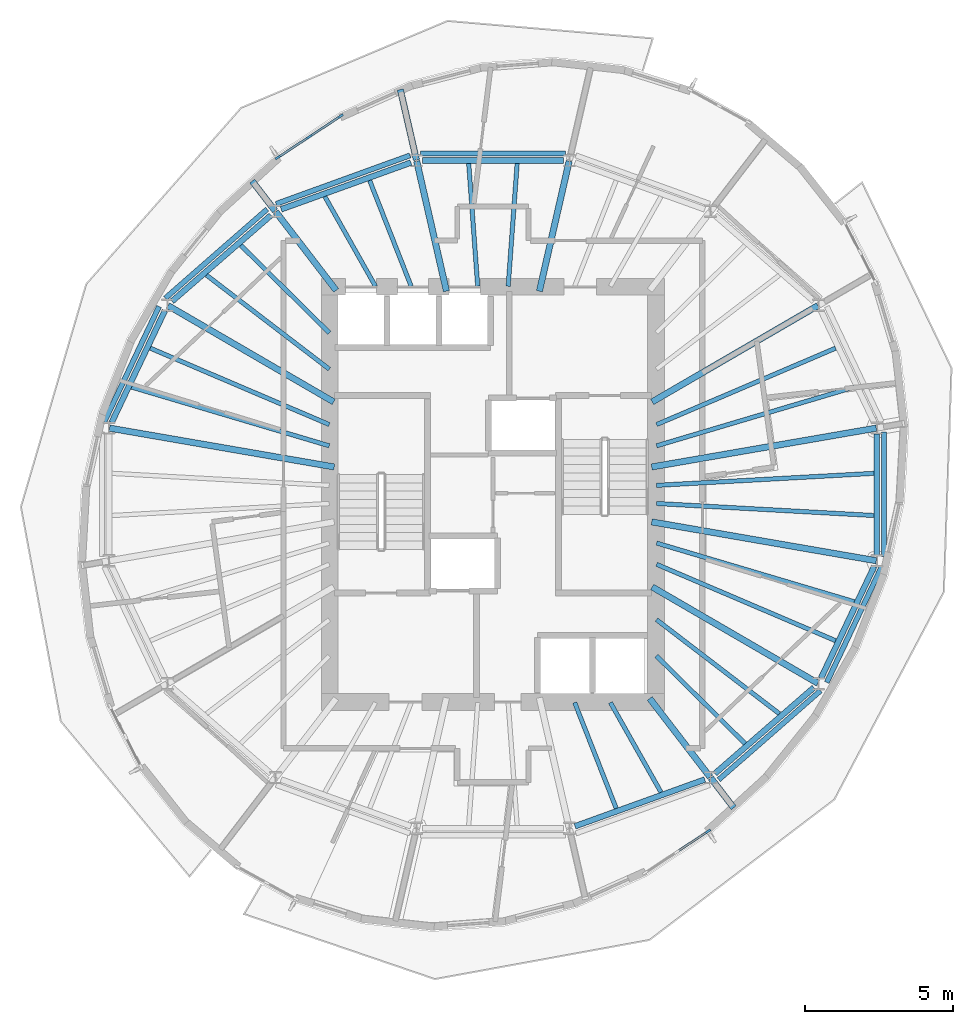
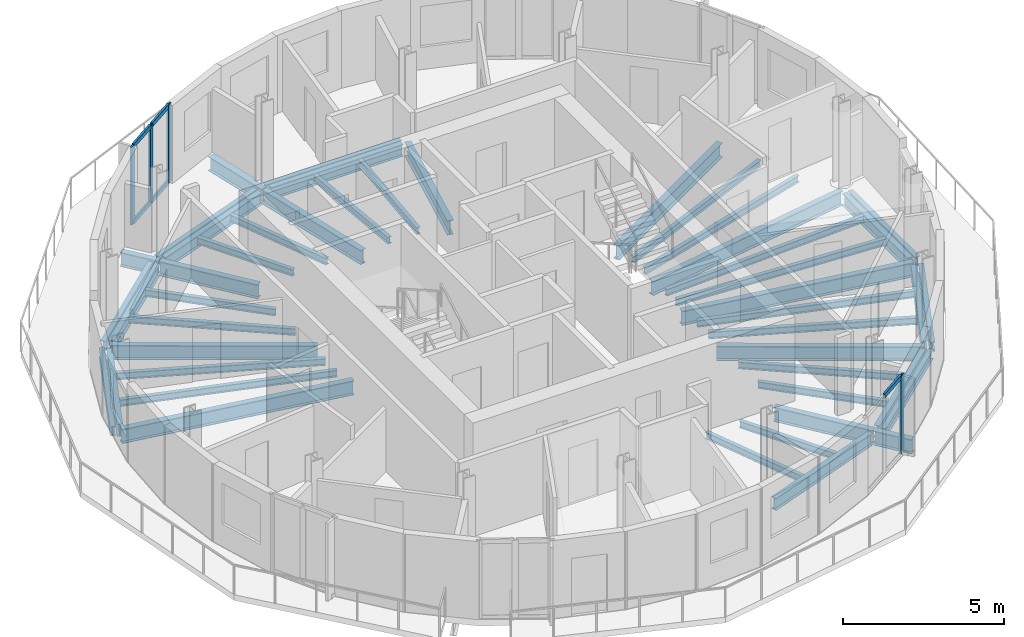
# One storey, part 2 of 11: 46 beams, 9 members, 2 elements without a shape of their own.
"""IFC4 building model written with IfcOpenShell, lengths in metres."""

from ifc_helpers import new_model, si_unit, direction, frame, origin, origin_2d, place, context, subcontext, project, spatial, rectangle, i_section, extrude, material, material_profile, profile_set, type_object, element, aggregate, save


model = new_model("IFC4")

# Units and contexts
model_context = context("Model", 3, precision=1e-05, world=origin(), true_north=direction((0.0, 1.0)))
body_context = subcontext(model_context, "Body", "Model", "MODEL_VIEW")
ifc_project = project(units=[si_unit("LENGTHUNIT", "METRE"), si_unit("AREAUNIT", "SQUARE_METRE"), si_unit("VOLUMEUNIT", "CUBIC_METRE"), si_unit("PLANEANGLEUNIT", "RADIAN"), si_unit("MASSUNIT", "GRAM", prefix="KILO")], contexts=[model_context])

# Site, building, storey
site_placement = place(None, origin())
site = spatial("IfcSite", under=ifc_project, at=site_placement, CompositionType="ELEMENT")
building_placement = place(site_placement, origin())
building = spatial("IfcBuilding", under=site, at=building_placement, Name="Veldorim Arch Residences", CompositionType="ELEMENT")
storey_placement = place(building_placement, frame((0.0, 0.0, 220.639892578125)))
storey = spatial("IfcBuildingStorey", under=building, at=storey_placement, Name="L66", CompositionType="ELEMENT", Elevation=220.639892578125)

# Beams
ifc_material_1 = material(Name="Steel S355", Category="steel")
ifc_material_profile_1 = material_profile(ifc_material_1, i_section(OverallWidth=0.2119140625, OverallDepth=0.54443359375, WebThickness=0.0126953125, FlangeThickness=0.021240234375, at=origin_2d()), Name="UB533x210x122")
ifc_profile_set_1 = profile_set([ifc_material_profile_1], Name="Steel S355")
beam_type_1 = type_object("IfcBeamType", Name="Structural Steel Beam UB533x210x122", PredefinedType="BEAM", material=ifc_profile_set_1)
beam_1_placement = place(storey_placement, frame((37.352294921875, 24.92578125, -0.51220703125), z_axis=(0.985364974081, 0.170457818401, 0.0), x_axis=(-0.170457818401, 0.985364974081, 0.0)))
element("IfcBeam", 1, at=beam_1_placement, inside=storey, type_object=beam_type_1, Name="L66 radial floor girder 01", PredefinedType="BEAM", context=body_context, shape_type="SweptSolid", body=[
    extrude(i_section(OverallWidth=0.2119140625, OverallDepth=0.54443359375, WebThickness=0.0126953125, FlangeThickness=0.021240234375, at=origin_2d()), origin(), (0.0, 0.0, 1.0), 7.68701171875),
])
beam_2_placement = place(storey_placement, frame((37.370361328125, 27.12060546875, -0.51220703125), z_axis=(0.864595736304, 0.502468121142, 0.0), x_axis=(-0.502468121142, 0.864595736304, 0.0)))
element("IfcBeam", 2, at=beam_2_placement, inside=storey, type_object=beam_type_1, Name="L66 radial floor girder 02", PredefinedType="BEAM", context=body_context, shape_type="SweptSolid", body=[
    extrude(i_section(OverallWidth=0.2119140625, OverallDepth=0.54443359375, WebThickness=0.0126953125, FlangeThickness=0.021240234375, at=origin_2d()), origin(), (0.0, 0.0, 1.0), 6.462646484375),
])
for number, where, z_axis, x_axis, name in (
    (3, (33.567626953125, 30.853759765625, -0.51220703125), (0.222952976993, 0.97482920045, 0.0), (-0.97482920045, 0.222952976993, 0.0), "L66 radial floor girder 04"),
    (4, (30.432373046875, 30.853759765625, -0.51220703125), (-0.222952976993, 0.97482920045, 0.0), (-0.97482920045, -0.222952976993, 0.0), "L66 radial floor girder 05"),
):
    element("IfcBeam", number, at=place(storey_placement, frame(where, z_axis=z_axis, x_axis=x_axis)), inside=storey, type_object=beam_type_1, Name=name, PredefinedType="BEAM", context=body_context, shape_type="SweptSolid", body=[
        extrude(i_section(OverallWidth=0.2119140625, OverallDepth=0.54443359375, WebThickness=0.0126953125, FlangeThickness=0.021240234375, at=origin_2d()), origin(), (0.0, 0.0, 1.0), 4.49951171875),
    ])
beam_3_placement = place(storey_placement, frame((29.42041015625, 35.27880859375, -0.51220703125), z_axis=(-0.222985349642, 0.974821795943, 0.0), x_axis=(-0.974821795943, -0.222985349642, 0.0)))
element("IfcBeam", 5, at=beam_3_placement, inside=storey, type_object=beam_type_1, Name="L66 radial edge cantilever girder 05", PredefinedType="BEAM", context=body_context, shape_type="SweptSolid", body=[
    extrude(i_section(OverallWidth=0.2119140625, OverallDepth=0.54443359375, WebThickness=0.0126953125, FlangeThickness=0.021240234375, at=origin_2d()), origin(), (0.0, 0.0, 1.0), 2.43603515625),
])
beam_4_placement = place(storey_placement, frame((26.71337890625, 30.881103515625, -0.51220703125), z_axis=(-0.609258442308, 0.792971721108, 0.0), x_axis=(-0.792971721108, -0.609258442308, 0.0)))
element("IfcBeam", 6, at=beam_4_placement, inside=storey, type_object=beam_type_1, Name="L66 radial floor girder 06", PredefinedType="BEAM", context=body_context, shape_type="SweptSolid", body=[
    extrude(i_section(OverallWidth=0.2119140625, OverallDepth=0.54443359375, WebThickness=0.0126953125, FlangeThickness=0.021240234375, at=origin_2d()), origin(), (0.0, 0.0, 1.0), 3.339599609375),
])
beam_5_placement = place(storey_placement, frame((24.654296875, 33.561279296875, -0.51220703125), z_axis=(-0.609348059257, 0.792902858287, 0.0), x_axis=(-0.792902858287, -0.609348059257, 0.0)))
element("IfcBeam", 7, at=beam_5_placement, inside=storey, type_object=beam_type_1, Name="L66 radial edge cantilever girder 06", PredefinedType="BEAM", context=body_context, shape_type="SweptSolid", body=[
    extrude(i_section(OverallWidth=0.2119140625, OverallDepth=0.54443359375, WebThickness=0.0126953125, FlangeThickness=0.021240234375, at=origin_2d()), origin(), (0.0, 0.0, 1.0), 1.268798828125),
])
beam_6_placement = place(storey_placement, frame((26.629638671875, 27.12060546875, -0.51220703125), z_axis=(-0.864595736304, 0.502468121142, 0.0), x_axis=(-0.502468121142, -0.864595736304, 0.0)))
element("IfcBeam", 8, at=beam_6_placement, inside=storey, type_object=beam_type_1, Name="L66 radial floor girder 07", PredefinedType="BEAM", context=body_context, shape_type="SweptSolid", body=[
    extrude(i_section(OverallWidth=0.2119140625, OverallDepth=0.54443359375, WebThickness=0.0126953125, FlangeThickness=0.021240234375, at=origin_2d()), origin(), (0.0, 0.0, 1.0), 6.462646484375),
])
beam_7_placement = place(storey_placement, frame((26.647705078125, 24.92578125, -0.51220703125), z_axis=(-0.985364974081, 0.170457818401, 0.0), x_axis=(-0.170457818401, -0.985364974081, 0.0)))
element("IfcBeam", 9, at=beam_7_placement, inside=storey, type_object=beam_type_1, Name="L66 radial floor girder 08", PredefinedType="BEAM", context=body_context, shape_type="SweptSolid", body=[
    extrude(i_section(OverallWidth=0.2119140625, OverallDepth=0.54443359375, WebThickness=0.0126953125, FlangeThickness=0.021240234375, at=origin_2d()), origin(), (0.0, 0.0, 1.0), 7.68701171875),
])
beam_8_placement = place(storey_placement, frame((37.28662109375, 17.118896484375, -0.51220703125), z_axis=(0.609258442308, -0.792971721108, 0.0), x_axis=(0.792971721108, 0.609258442308, 0.0)))
element("IfcBeam", 10, at=beam_8_placement, inside=storey, type_object=beam_type_1, Name="L66 radial floor girder 14", PredefinedType="BEAM", context=body_context, shape_type="SweptSolid", body=[
    extrude(i_section(OverallWidth=0.2119140625, OverallDepth=0.54443359375, WebThickness=0.0126953125, FlangeThickness=0.021240234375, at=origin_2d()), origin(), (0.0, 0.0, 1.0), 3.339599609375),
])
beam_9_placement = place(storey_placement, frame((39.345703125, 14.438720703125, -0.51220703125), z_axis=(0.609348059257, -0.792902858287, 0.0), x_axis=(0.792902858287, 0.609348059257, 0.0)))
element("IfcBeam", 11, at=beam_9_placement, inside=storey, type_object=beam_type_1, Name="L66 radial edge cantilever girder 14", PredefinedType="BEAM", context=body_context, shape_type="SweptSolid", body=[
    extrude(i_section(OverallWidth=0.2119140625, OverallDepth=0.54443359375, WebThickness=0.0126953125, FlangeThickness=0.021240234375, at=origin_2d()), origin(), (0.0, 0.0, 1.0), 1.268798828125),
])
beam_10_placement = place(storey_placement, frame((37.370361328125, 20.87939453125, -0.51220703125), z_axis=(0.864595736304, -0.502468121142, 0.0), x_axis=(0.502468121142, 0.864595736304, 0.0)))
element("IfcBeam", 12, at=beam_10_placement, inside=storey, type_object=beam_type_1, Name="L66 radial floor girder 15", PredefinedType="BEAM", context=body_context, shape_type="SweptSolid", body=[
    extrude(i_section(OverallWidth=0.2119140625, OverallDepth=0.54443359375, WebThickness=0.0126953125, FlangeThickness=0.021240234375, at=origin_2d()), origin(), (0.0, 0.0, 1.0), 6.462646484375),
])
beam_11_placement = place(storey_placement, frame((37.352294921875, 23.07421875, -0.51220703125), z_axis=(0.985364974081, -0.170457818401, 0.0), x_axis=(0.170457818401, 0.985364974081, 0.0)))
element("IfcBeam", 13, at=beam_11_placement, inside=storey, type_object=beam_type_1, Name="L66 radial floor girder 16", PredefinedType="BEAM", context=body_context, shape_type="SweptSolid", body=[
    extrude(i_section(OverallWidth=0.2119140625, OverallDepth=0.54443359375, WebThickness=0.0126953125, FlangeThickness=0.021240234375, at=origin_2d()), origin(), (0.0, 0.0, 1.0), 7.68701171875),
])
ifc_material_2 = material(Name="Steel S355", Category="steel")
ifc_material_profile_2 = material_profile(ifc_material_2, i_section(OverallWidth=0.146484375, OverallDepth=0.256103515625, WebThickness=0.00634765625, FlangeThickness=0.010986328125, at=origin_2d()), Name="UB254x146x37")
ifc_profile_set_2 = profile_set([ifc_material_profile_2], Name="Steel S355")
beam_type_2 = type_object("IfcBeamType", Name="Structural Steel Joist UB254x146x37", PredefinedType="JOIST", material=ifc_profile_set_2)
beam_12_placement = place(storey_placement, frame((37.519287109375, 25.639404296875, -0.367919921875), z_axis=(0.958594432792, 0.284774846889, 0.0), x_axis=(-0.284774846889, 0.958594432792, 0.0)))
element("IfcBeam", 14, at=beam_12_placement, inside=storey, type_object=beam_type_2, Name="L66 secondary radial floor joist 01-1", PredefinedType="JOIST", context=body_context, shape_type="SweptSolid", body=[
    extrude(i_section(OverallWidth=0.146484375, OverallDepth=0.256103515625, WebThickness=0.00634765625, FlangeThickness=0.010986328125, at=origin_2d()), origin(), (0.0, 0.0, 1.0), 6.949462890625),
])
beam_13_placement = place(storey_placement, frame((37.518310546875, 26.355712890625, -0.367919921875), z_axis=(0.919725161652, 0.392562895629, 0.0), x_axis=(-0.392562895629, 0.919725161652, 0.0)))
element("IfcBeam", 15, at=beam_13_placement, inside=storey, type_object=beam_type_2, Name="L66 secondary radial floor joist 01-2", PredefinedType="JOIST", context=body_context, shape_type="SweptSolid", body=[
    extrude(i_section(OverallWidth=0.146484375, OverallDepth=0.256103515625, WebThickness=0.00634765625, FlangeThickness=0.010986328125, at=origin_2d()), origin(), (0.0, 0.0, 1.0), 6.5625),
])
for number, where, z_axis, x_axis, name in (
    (16, (32.513916015625, 31.02001953125, -0.367919921875), (0.072985625899, 0.997332992742, 0.0), (-0.997332992742, 0.072985625899, 0.0), "L66 secondary radial floor joist 04-1"),
    (17, (31.486083984375, 31.02001953125, -0.367919921875), (-0.072985625899, 0.997332992742, 0.0), (-0.997332992742, -0.072985625899, 0.0), "L66 secondary radial floor joist 04-2"),
):
    element("IfcBeam", number, at=place(storey_placement, frame(where, z_axis=z_axis, x_axis=x_axis)), inside=storey, type_object=beam_type_2, Name=name, PredefinedType="JOIST", context=body_context, shape_type="SweptSolid", body=[
        extrude(i_section(OverallWidth=0.146484375, OverallDepth=0.256103515625, WebThickness=0.00634765625, FlangeThickness=0.010986328125, at=origin_2d()), origin(), (0.0, 0.0, 1.0), 4.151123046875),
    ])
beam_14_placement = place(storey_placement, frame((29.24365234375, 31.0185546875, -0.367919921875), z_axis=(-0.365581383042, 0.930779379001, 0.0), x_axis=(-0.930779379001, -0.365581383042, 0.0)))
element("IfcBeam", 18, at=beam_14_placement, inside=storey, type_object=beam_type_2, Name="L66 secondary radial floor joist 05-1", PredefinedType="JOIST", context=body_context, shape_type="SweptSolid", body=[
    extrude(i_section(OverallWidth=0.146484375, OverallDepth=0.256103515625, WebThickness=0.00634765625, FlangeThickness=0.010986328125, at=origin_2d()), origin(), (0.0, 0.0, 1.0), 3.83056640625),
])
beam_15_placement = place(storey_placement, frame((28.039794921875, 31.017333984375, -0.367919921875), z_axis=(-0.491452469585, 0.870904397818, 0.0), x_axis=(-0.870904397818, -0.491452469585, 0.0)))
element("IfcBeam", 19, at=beam_15_placement, inside=storey, type_object=beam_type_2, Name="L66 secondary radial floor joist 05-2", PredefinedType="JOIST", context=body_context, shape_type="SweptSolid", body=[
    extrude(i_section(OverallWidth=0.146484375, OverallDepth=0.256103515625, WebThickness=0.00634765625, FlangeThickness=0.010986328125, at=origin_2d()), origin(), (0.0, 0.0, 1.0), 3.472412109375),
])
beam_16_placement = place(storey_placement, frame((26.48583984375, 29.44775390625, -0.367919921875), z_axis=(-0.711396725432, 0.702790650937, 0.0), x_axis=(-0.702790650937, -0.711396725432, 0.0)))
element("IfcBeam", 20, at=beam_16_placement, inside=storey, type_object=beam_type_2, Name="L66 secondary radial floor joist 06-1", PredefinedType="JOIST", context=body_context, shape_type="SweptSolid", body=[
    extrude(i_section(OverallWidth=0.146484375, OverallDepth=0.256103515625, WebThickness=0.00634765625, FlangeThickness=0.010986328125, at=origin_2d()), origin(), (0.0, 0.0, 1.0), 4.198486328125),
])
beam_17_placement = place(storey_placement, frame((26.484130859375, 28.222900390625, -0.367919921875), z_axis=(-0.794013672216, 0.607899899929, 0.0), x_axis=(-0.607899899929, -0.794013672216, 0.0)))
element("IfcBeam", 21, at=beam_17_placement, inside=storey, type_object=beam_type_2, Name="L66 secondary radial floor joist 06-2", PredefinedType="JOIST", context=body_context, shape_type="SweptSolid", body=[
    extrude(i_section(OverallWidth=0.146484375, OverallDepth=0.256103515625, WebThickness=0.00634765625, FlangeThickness=0.010986328125, at=origin_2d()), origin(), (0.0, 0.0, 1.0), 5.217041015625),
])
beam_18_placement = place(storey_placement, frame((26.481689453125, 26.355712890625, -0.367919921875), z_axis=(-0.919725161652, 0.392562895629, 0.0), x_axis=(-0.392562895629, -0.919725161652, 0.0)))
element("IfcBeam", 22, at=beam_18_placement, inside=storey, type_object=beam_type_2, Name="L66 secondary radial floor joist 07-1", PredefinedType="JOIST", context=body_context, shape_type="SweptSolid", body=[
    extrude(i_section(OverallWidth=0.146484375, OverallDepth=0.256103515625, WebThickness=0.00634765625, FlangeThickness=0.010986328125, at=origin_2d()), origin(), (0.0, 0.0, 1.0), 6.5625),
])
beam_19_placement = place(storey_placement, frame((26.480712890625, 25.639404296875, -0.367919921875), z_axis=(-0.958594432792, 0.284774846889, 0.0), x_axis=(-0.284774846889, -0.958594432792, 0.0)))
element("IfcBeam", 23, at=beam_19_placement, inside=storey, type_object=beam_type_2, Name="L66 secondary radial floor joist 07-2", PredefinedType="JOIST", context=body_context, shape_type="SweptSolid", body=[
    extrude(i_section(OverallWidth=0.146484375, OverallDepth=0.256103515625, WebThickness=0.00634765625, FlangeThickness=0.010986328125, at=origin_2d()), origin(), (0.0, 0.0, 1.0), 6.949462890625),
])
beam_20_placement = place(storey_placement, frame((34.75634765625, 16.9814453125, -0.367919921875), z_axis=(0.365581383042, -0.930779379001, 0.0), x_axis=(0.930779379001, 0.365581383042, 0.0)))
element("IfcBeam", 24, at=beam_20_placement, inside=storey, type_object=beam_type_2, Name="L66 secondary radial floor joist 13-1", PredefinedType="JOIST", context=body_context, shape_type="SweptSolid", body=[
    extrude(i_section(OverallWidth=0.146484375, OverallDepth=0.256103515625, WebThickness=0.00634765625, FlangeThickness=0.010986328125, at=origin_2d()), origin(), (0.0, 0.0, 1.0), 3.83056640625),
])
beam_21_placement = place(storey_placement, frame((35.960205078125, 16.982666015625, -0.367919921875), z_axis=(0.491452469585, -0.870904397818, 0.0), x_axis=(0.870904397818, 0.491452469585, 0.0)))
element("IfcBeam", 25, at=beam_21_placement, inside=storey, type_object=beam_type_2, Name="L66 secondary radial floor joist 13-2", PredefinedType="JOIST", context=body_context, shape_type="SweptSolid", body=[
    extrude(i_section(OverallWidth=0.146484375, OverallDepth=0.256103515625, WebThickness=0.00634765625, FlangeThickness=0.010986328125, at=origin_2d()), origin(), (0.0, 0.0, 1.0), 3.472412109375),
])
beam_22_placement = place(storey_placement, frame((37.51416015625, 18.55224609375, -0.367919921875), z_axis=(0.711396725432, -0.702790650937, 0.0), x_axis=(0.702790650937, 0.711396725432, 0.0)))
element("IfcBeam", 26, at=beam_22_placement, inside=storey, type_object=beam_type_2, Name="L66 secondary radial floor joist 14-1", PredefinedType="JOIST", context=body_context, shape_type="SweptSolid", body=[
    extrude(i_section(OverallWidth=0.146484375, OverallDepth=0.256103515625, WebThickness=0.00634765625, FlangeThickness=0.010986328125, at=origin_2d()), origin(), (0.0, 0.0, 1.0), 4.198486328125),
])
beam_23_placement = place(storey_placement, frame((37.515869140625, 19.777099609375, -0.367919921875), z_axis=(0.794013672216, -0.607899899929, 0.0), x_axis=(0.607899899929, 0.794013672216, 0.0)))
element("IfcBeam", 27, at=beam_23_placement, inside=storey, type_object=beam_type_2, Name="L66 secondary radial floor joist 14-2", PredefinedType="JOIST", context=body_context, shape_type="SweptSolid", body=[
    extrude(i_section(OverallWidth=0.146484375, OverallDepth=0.256103515625, WebThickness=0.00634765625, FlangeThickness=0.010986328125, at=origin_2d()), origin(), (0.0, 0.0, 1.0), 5.217041015625),
])
beam_24_placement = place(storey_placement, frame((37.518310546875, 21.644287109375, -0.367919921875), z_axis=(0.919725161652, -0.392562895629, 0.0), x_axis=(0.392562895629, 0.919725161652, 0.0)))
element("IfcBeam", 28, at=beam_24_placement, inside=storey, type_object=beam_type_2, Name="L66 secondary radial floor joist 15-1", PredefinedType="JOIST", context=body_context, shape_type="SweptSolid", body=[
    extrude(i_section(OverallWidth=0.146484375, OverallDepth=0.256103515625, WebThickness=0.00634765625, FlangeThickness=0.010986328125, at=origin_2d()), origin(), (0.0, 0.0, 1.0), 6.5625),
])
beam_25_placement = place(storey_placement, frame((37.519287109375, 22.360595703125, -0.367919921875), z_axis=(0.958594432792, -0.284774846889, 0.0), x_axis=(0.284774846889, 0.958594432792, 0.0)))
element("IfcBeam", 29, at=beam_25_placement, inside=storey, type_object=beam_type_2, Name="L66 secondary radial floor joist 15-2", PredefinedType="JOIST", context=body_context, shape_type="SweptSolid", body=[
    extrude(i_section(OverallWidth=0.146484375, OverallDepth=0.256103515625, WebThickness=0.00634765625, FlangeThickness=0.010986328125, at=origin_2d()), origin(), (0.0, 0.0, 1.0), 6.949462890625),
])
for number, where, z_axis, x_axis, name in (
    (30, (37.52001953125, 23.6943359375, -0.367919921875), (0.998472000884, -0.055259962464, 0.0), (0.055259962464, 0.998472000884, 0.0), "L66 secondary radial floor joist 16-1"),
    (31, (37.52001953125, 24.3056640625, -0.367919921875), (0.998472000884, 0.055259962464, 0.0), (-0.055259962464, 0.998472000884, 0.0), "L66 secondary radial floor joist 16-2"),
):
    element("IfcBeam", number, at=place(storey_placement, frame(where, z_axis=z_axis, x_axis=x_axis)), inside=storey, type_object=beam_type_2, Name=name, PredefinedType="JOIST", context=body_context, shape_type="SweptSolid", body=[
        extrude(i_section(OverallWidth=0.146484375, OverallDepth=0.256103515625, WebThickness=0.00634765625, FlangeThickness=0.010986328125, at=origin_2d()), origin(), (0.0, 0.0, 1.0), 7.33837890625),
    ])
ifc_material_3 = material(Name="Steel S355", Category="steel")
ifc_material_profile_3 = material_profile(ifc_material_3, i_section(OverallWidth=0.172119140625, OverallDepth=0.35791015625, WebThickness=0.008056640625, FlangeThickness=0.012939453125, at=origin_2d()), Name="UB356x171x57")
ifc_profile_set_3 = profile_set([ifc_material_profile_3], Name="Steel S355")
beam_type_3 = type_object("IfcBeamType", Name="Structural Steel Spandrel UB356x171x57", PredefinedType="SPANDREL", material=ifc_profile_set_3)
beam_26_placement = place(storey_placement, frame((34.44970703125, 35.493408203125, -0.43896484375), z_axis=(-1.0, 0.0, 0.0), x_axis=(0.0, -1.0, 0.0)))
element("IfcBeam", 32, at=beam_26_placement, inside=storey, type_object=beam_type_3, Name="L66 perimeter chord spandrel beam 04", PredefinedType="SPANDREL", context=body_context, shape_type="SweptSolid", body=[
    extrude(i_section(OverallWidth=0.172119140625, OverallDepth=0.35791015625, WebThickness=0.008056640625, FlangeThickness=0.012939453125, at=origin_2d()), origin(), (0.0, 0.0, 1.0), 4.8994140625),
])
beam_27_placement = place(storey_placement, frame((29.202880859375, 35.432373046875, -0.43896484375), z_axis=(-0.940178823137, -0.340681347486, 0.0), x_axis=(0.340681347486, -0.940178823137, 0.0)))
element("IfcBeam", 33, at=beam_27_placement, inside=storey, type_object=beam_type_3, Name="L66 perimeter chord spandrel beam 05", PredefinedType="SPANDREL", context=body_context, shape_type="SweptSolid", body=[
    extrude(i_section(OverallWidth=0.172119140625, OverallDepth=0.35791015625, WebThickness=0.008056640625, FlangeThickness=0.012939453125, at=origin_2d()), origin(), (0.0, 0.0, 1.0), 4.80126953125),
])
beam_28_placement = place(storey_placement, frame((24.385498046875, 33.617919921875, -0.43896484375), z_axis=(-0.752868439096, -0.658171036596, 0.0), x_axis=(0.658171036596, -0.752868439096, 0.0)))
element("IfcBeam", 34, at=beam_28_placement, inside=storey, type_object=beam_type_3, Name="L66 perimeter chord spandrel beam 06", PredefinedType="SPANDREL", context=body_context, shape_type="SweptSolid", body=[
    extrude(i_section(OverallWidth=0.172119140625, OverallDepth=0.35791015625, WebThickness=0.008056640625, FlangeThickness=0.012939453125, at=origin_2d()), origin(), (0.0, 0.0, 1.0), 4.560791015625),
])
beam_29_placement = place(storey_placement, frame((20.740478515625, 30.336669921875, -0.43896484375), z_axis=(-0.428468601304, -0.903556670994, 0.0), x_axis=(0.903556670994, -0.428468601304, 0.0)))
element("IfcBeam", 35, at=beam_29_placement, inside=storey, type_object=beam_type_3, Name="L66 perimeter chord spandrel beam 07", PredefinedType="SPANDREL", context=body_context, shape_type="SweptSolid", body=[
    extrude(i_section(OverallWidth=0.172119140625, OverallDepth=0.35791015625, WebThickness=0.008056640625, FlangeThickness=0.012939453125, at=origin_2d()), origin(), (0.0, 0.0, 1.0), 4.31005859375),
])
beam_30_placement = place(storey_placement, frame((39.614501953125, 14.382080078125, -0.43896484375), z_axis=(0.752868439096, 0.658171036596, 0.0), x_axis=(-0.658171036596, 0.752868439096, 0.0)))
element("IfcBeam", 36, at=beam_30_placement, inside=storey, type_object=beam_type_3, Name="L66 perimeter chord spandrel beam 14", PredefinedType="SPANDREL", context=body_context, shape_type="SweptSolid", body=[
    extrude(i_section(OverallWidth=0.172119140625, OverallDepth=0.35791015625, WebThickness=0.008056640625, FlangeThickness=0.012939453125, at=origin_2d()), origin(), (0.0, 0.0, 1.0), 4.560791015625),
])
beam_31_placement = place(storey_placement, frame((43.259521484375, 17.663330078125, -0.43896484375), z_axis=(0.428468601304, 0.903556670994, 0.0), x_axis=(-0.903556670994, 0.428468601304, 0.0)))
element("IfcBeam", 37, at=beam_31_placement, inside=storey, type_object=beam_type_3, Name="L66 perimeter chord spandrel beam 15", PredefinedType="SPANDREL", context=body_context, shape_type="SweptSolid", body=[
    extrude(i_section(OverallWidth=0.172119140625, OverallDepth=0.35791015625, WebThickness=0.008056640625, FlangeThickness=0.012939453125, at=origin_2d()), origin(), (0.0, 0.0, 1.0), 4.31005859375),
])
beam_32_placement = place(storey_placement, frame((45.182861328125, 21.898681640625, -0.43896484375), z_axis=(0.0, 1.0, 0.0), x_axis=(-1.0, 0.0, 0.0)))
element("IfcBeam", 38, at=beam_32_placement, inside=storey, type_object=beam_type_3, Name="L66 perimeter chord spandrel beam 16", PredefinedType="SPANDREL", context=body_context, shape_type="SweptSolid", body=[
    extrude(i_section(OverallWidth=0.172119140625, OverallDepth=0.35791015625, WebThickness=0.008056640625, FlangeThickness=0.012939453125, at=origin_2d()), origin(), (0.0, 0.0, 1.0), 4.20263671875),
])
ifc_material_4 = material(Name="Steel S355", Category="steel")
ifc_material_profile_4 = material_profile(ifc_material_4, i_section(OverallWidth=0.19140625, OverallDepth=0.4599609375, WebThickness=0.010009765625, FlangeThickness=0.01611328125, at=origin_2d()), Name="UB457x191x82")
ifc_profile_set_4 = profile_set([ifc_material_profile_4], Name="Steel S355")
beam_type_4 = type_object("IfcBeamType", Name="Structural Steel Spandrel UB457x191x82", PredefinedType="SPANDREL", material=ifc_profile_set_4)
beam_33_placement = place(storey_placement, frame((34.37158203125, 35.259521484375, -0.469970703125), z_axis=(-1.0, 0.0, 0.0), x_axis=(0.0, -1.0, 0.0)))
element("IfcBeam", 39, at=beam_33_placement, inside=storey, type_object=beam_type_4, Name="L66 perimeter ring tie beam 04", PredefinedType="SPANDREL", context=body_context, shape_type="SweptSolid", body=[
    extrude(i_section(OverallWidth=0.19140625, OverallDepth=0.4599609375, WebThickness=0.010009765625, FlangeThickness=0.01611328125, at=origin_2d()), origin(), (0.0, 0.0, 1.0), 4.7431640625),
])
beam_34_placement = place(storey_placement, frame((29.2333984375, 35.1904296875, -0.469970703125), z_axis=(-0.940819134121, -0.338909068736, 0.0), x_axis=(0.338909068736, -0.940819134121, 0.0)))
element("IfcBeam", 40, at=beam_34_placement, inside=storey, type_object=beam_type_4, Name="L66 perimeter ring tie beam 05", PredefinedType="SPANDREL", context=body_context, shape_type="SweptSolid", body=[
    extrude(i_section(OverallWidth=0.19140625, OverallDepth=0.4599609375, WebThickness=0.010009765625, FlangeThickness=0.01611328125, at=origin_2d()), origin(), (0.0, 0.0, 1.0), 4.650634765625),
])
beam_35_placement = place(storey_placement, frame((24.512939453125, 33.411865234375, -0.469970703125), z_axis=(-0.754534162517, -0.656260769508, 0.0), x_axis=(0.656260769508, -0.754534162517, 0.0)))
element("IfcBeam", 41, at=beam_35_placement, inside=storey, type_object=beam_type_4, Name="L66 perimeter ring tie beam 06", PredefinedType="SPANDREL", context=body_context, shape_type="SweptSolid", body=[
    extrude(i_section(OverallWidth=0.19140625, OverallDepth=0.4599609375, WebThickness=0.010009765625, FlangeThickness=0.01611328125, at=origin_2d()), origin(), (0.0, 0.0, 1.0), 4.419677734375),
])
beam_36_placement = place(storey_placement, frame((20.93701171875, 30.194091796875, -0.469970703125), z_axis=(-0.429992574394, -0.902832424078, 0.0), x_axis=(0.902832424078, -0.429992574394, 0.0)))
element("IfcBeam", 42, at=beam_36_placement, inside=storey, type_object=beam_type_4, Name="L66 perimeter ring tie beam 07", PredefinedType="SPANDREL", context=body_context, shape_type="SweptSolid", body=[
    extrude(i_section(OverallWidth=0.19140625, OverallDepth=0.4599609375, WebThickness=0.010009765625, FlangeThickness=0.01611328125, at=origin_2d()), origin(), (0.0, 0.0, 1.0), 4.176513671875),
])
beam_37_placement = place(storey_placement, frame((34.7666015625, 12.8095703125, -0.469970703125), z_axis=(0.940819134121, 0.338909068736, 0.0), x_axis=(-0.338909068736, 0.940819134121, 0.0)))
element("IfcBeam", 43, at=beam_37_placement, inside=storey, type_object=beam_type_4, Name="L66 perimeter ring tie beam 13", PredefinedType="SPANDREL", context=body_context, shape_type="SweptSolid", body=[
    extrude(i_section(OverallWidth=0.19140625, OverallDepth=0.4599609375, WebThickness=0.010009765625, FlangeThickness=0.01611328125, at=origin_2d()), origin(), (0.0, 0.0, 1.0), 4.650634765625),
])
beam_38_placement = place(storey_placement, frame((39.487060546875, 14.588134765625, -0.469970703125), z_axis=(0.754534162517, 0.656260769508, 0.0), x_axis=(-0.656260769508, 0.754534162517, 0.0)))
element("IfcBeam", 44, at=beam_38_placement, inside=storey, type_object=beam_type_4, Name="L66 perimeter ring tie beam 14", PredefinedType="SPANDREL", context=body_context, shape_type="SweptSolid", body=[
    extrude(i_section(OverallWidth=0.19140625, OverallDepth=0.4599609375, WebThickness=0.010009765625, FlangeThickness=0.01611328125, at=origin_2d()), origin(), (0.0, 0.0, 1.0), 4.419677734375),
])
beam_39_placement = place(storey_placement, frame((43.06298828125, 17.805908203125, -0.469970703125), z_axis=(0.429992574394, 0.902832424078, 0.0), x_axis=(-0.902832424078, 0.429992574394, 0.0)))
element("IfcBeam", 45, at=beam_39_placement, inside=storey, type_object=beam_type_4, Name="L66 perimeter ring tie beam 15", PredefinedType="SPANDREL", context=body_context, shape_type="SweptSolid", body=[
    extrude(i_section(OverallWidth=0.19140625, OverallDepth=0.4599609375, WebThickness=0.010009765625, FlangeThickness=0.01611328125, at=origin_2d()), origin(), (0.0, 0.0, 1.0), 4.176513671875),
])
beam_40_placement = place(storey_placement, frame((44.9462890625, 21.9638671875, -0.469970703125), z_axis=(0.0, 1.0, 0.0), x_axis=(-1.0, 0.0, 0.0)))
element("IfcBeam", 46, at=beam_40_placement, inside=storey, type_object=beam_type_4, Name="L66 perimeter ring tie beam 16", PredefinedType="SPANDREL", context=body_context, shape_type="SweptSolid", body=[
    extrude(i_section(OverallWidth=0.19140625, OverallDepth=0.4599609375, WebThickness=0.010009765625, FlangeThickness=0.01611328125, at=origin_2d()), origin(), (0.0, 0.0, 1.0), 4.072265625),
])

# Curtain wall, members
ifc_material_5 = material(Name="Aluminium", Category="aluminium")
curtain_wall_type = type_object("IfcCurtainWallType", Name="Zone 4 High-Altitude Unitised Curtain Wall", PredefinedType="NOTDEFINED", material=ifc_material_5)
curtain_wall_1_placement = place(storey_placement, origin())
curtain_wall_1 = element("IfcCurtainWall", 47, at=curtain_wall_1_placement, inside=storey, type_object=curtain_wall_type, Name="L66 unitised curtain wall bay 07", PredefinedType="NOTDEFINED")
ifc_material_6 = material(Name="Aluminium", Category="aluminium")
ifc_material_profile_5 = material_profile(ifc_material_6, rectangle(XDim=0.074951171875, YDim=0.195068359375, at=origin_2d()), Name="ALU_MUL_75x195")
ifc_profile_set_5 = profile_set([ifc_material_profile_5], Name="Aluminium")
member_type_1 = type_object("IfcMemberType", Name="Zone 4 High-Altitude Unitised Curtain Wall Mullion 75x195", PredefinedType="MULLION", material=ifc_profile_set_5)
member_1_placement = place(storey_placement, frame((24.7451171875, 35.36083984375, 0.0), z_axis=(0.0, 0.0, 1.0), x_axis=(-0.550061569233, 0.835124104582, 0.0)))
member_1 = element("IfcMember", 48, at=member_1_placement, type_object=member_type_1, Name="CW-Z4 mullion 1", PredefinedType="MULLION", context=body_context, shape_type="SweptSolid", body=[
    extrude(rectangle(XDim=0.074951171875, YDim=0.195068359375, at=origin_2d()), origin(), (0.0, 0.0, 1.0), 2.960205078125),
])
member_2_placement = place(storey_placement, frame((25.804443359375, 36.05859375, 0.0), z_axis=(0.0, 0.0, 1.0), x_axis=(-0.550061569233, 0.835124104582, 0.0)))
member_2 = element("IfcMember", 49, at=member_2_placement, type_object=member_type_1, Name="CW-Z4 mullion 2", PredefinedType="MULLION", context=body_context, shape_type="SweptSolid", body=[
    extrude(rectangle(XDim=0.074951171875, YDim=0.195068359375, at=origin_2d()), origin(), (0.0, 0.0, 1.0), 2.960205078125),
])
member_3_placement = place(storey_placement, frame((26.86376953125, 36.756103515625, 0.0), z_axis=(0.0, 0.0, 1.0), x_axis=(-0.550061569233, 0.835124104582, 0.0)))
member_3 = element("IfcMember", 50, at=member_3_placement, type_object=member_type_1, Name="CW-Z4 mullion 3", PredefinedType="MULLION", context=body_context, shape_type="SweptSolid", body=[
    extrude(rectangle(XDim=0.074951171875, YDim=0.195068359375, at=origin_2d()), origin(), (0.0, 0.0, 1.0), 2.960205078125),
])

# Curtain wall, member
curtain_wall_2_placement = place(storey_placement, origin())
curtain_wall_2 = element("IfcCurtainWall", 51, at=curtain_wall_2_placement, inside=storey, type_object=curtain_wall_type, Name="L66 unitised curtain wall bay 25", PredefinedType="NOTDEFINED")
member_4_placement = place(storey_placement, frame((39.2548828125, 12.63916015625, 0.0), z_axis=(0.0, 0.0, 1.0), x_axis=(0.550061569233, -0.835124104582, 0.0)))
member_4 = element("IfcMember", 52, at=member_4_placement, type_object=member_type_1, Name="CW-Z4 mullion 1", PredefinedType="MULLION", context=body_context, shape_type="SweptSolid", body=[
    extrude(rectangle(XDim=0.074951171875, YDim=0.195068359375, at=origin_2d()), origin(), (0.0, 0.0, 1.0), 2.960205078125),
])

# Member
ifc_material_7 = material(Name="Aluminium", Category="aluminium")
ifc_material_profile_6 = material_profile(ifc_material_7, rectangle(XDim=0.074951171875, YDim=0.1650390625, at=origin_2d()), Name="ALU_TRN_75x165")
ifc_profile_set_6 = profile_set([ifc_material_profile_6], Name="Aluminium")
member_type_2 = type_object("IfcMemberType", Name="Zone 4 High-Altitude Unitised Curtain Wall Transom 75x165", PredefinedType="USERDEFINED", material=ifc_profile_set_6)
member_5_placement = place(storey_placement, frame((24.776611328125, 35.38134765625, 0.03759765625), z_axis=(0.835090637281, 0.55011237718, 0.0), x_axis=(-0.55011237718, 0.835090637281, 0.0)))
member_5 = element("IfcMember", 53, at=member_5_placement, type_object=member_type_2, Name="CW-Z4 transom 1.1", ObjectType="TRANSOM", PredefinedType="USERDEFINED", context=body_context, shape_type="SweptSolid", body=[
    extrude(rectangle(XDim=0.074951171875, YDim=0.1650390625, at=origin_2d()), origin(), (0.0, 0.0, 1.0), 1.193359375),
])

member_6_placement = place(storey_placement, frame((24.776611328125, 35.38134765625, 2.922607421875), z_axis=(0.835090637281, 0.55011237718, 0.0), x_axis=(-0.55011237718, 0.835090637281, 0.0)))
member_6 = element("IfcMember", 54, at=member_6_placement, type_object=member_type_2, Name="CW-Z4 transom 1.2", ObjectType="TRANSOM", PredefinedType="USERDEFINED", context=body_context, shape_type="SweptSolid", body=[
    extrude(rectangle(XDim=0.074951171875, YDim=0.1650390625, at=origin_2d()), origin(), (0.0, 0.0, 1.0), 1.193359375),
])

member_7_placement = place(storey_placement, frame((25.835693359375, 36.0791015625, 0.03759765625), z_axis=(0.835090637281, 0.55011237718, 0.0), x_axis=(-0.55011237718, 0.835090637281, 0.0)))
member_7 = element("IfcMember", 55, at=member_7_placement, type_object=member_type_2, Name="CW-Z4 transom 2.1", ObjectType="TRANSOM", PredefinedType="USERDEFINED", context=body_context, shape_type="SweptSolid", body=[
    extrude(rectangle(XDim=0.074951171875, YDim=0.1650390625, at=origin_2d()), origin(), (0.0, 0.0, 1.0), 1.193359375),
])

member_8_placement = place(storey_placement, frame((25.835693359375, 36.0791015625, 2.922607421875), z_axis=(0.835090637281, 0.55011237718, 0.0), x_axis=(-0.55011237718, 0.835090637281, 0.0)))
member_8 = element("IfcMember", 56, at=member_8_placement, type_object=member_type_2, Name="CW-Z4 transom 2.2", ObjectType="TRANSOM", PredefinedType="USERDEFINED", context=body_context, shape_type="SweptSolid", body=[
    extrude(rectangle(XDim=0.074951171875, YDim=0.1650390625, at=origin_2d()), origin(), (0.0, 0.0, 1.0), 1.193359375),
])

aggregate(curtain_wall_1, [member_1, member_2, member_3, member_5, member_6, member_7, member_8])

member_9_placement = place(storey_placement, frame((39.223388671875, 12.61865234375, 2.922607421875), z_axis=(-0.835090637281, -0.55011237718, 0.0), x_axis=(0.55011237718, -0.835090637281, 0.0)))
member_9 = element("IfcMember", 57, at=member_9_placement, type_object=member_type_2, Name="CW-Z4 transom 1.2", ObjectType="TRANSOM", PredefinedType="USERDEFINED", context=body_context, shape_type="SweptSolid", body=[
    extrude(rectangle(XDim=0.074951171875, YDim=0.1650390625, at=origin_2d()), origin(), (0.0, 0.0, 1.0), 1.193359375),
])

aggregate(curtain_wall_2, [member_4, member_9])

save(model, "model.ifc")
